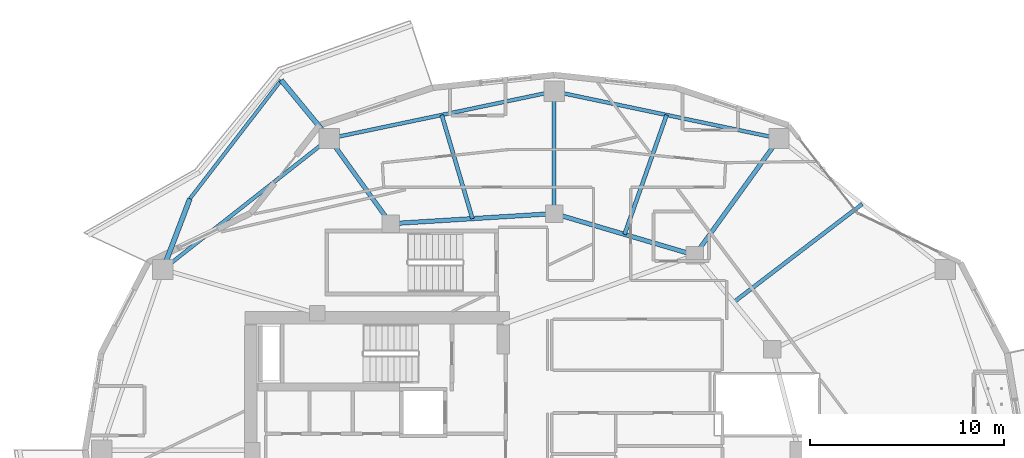
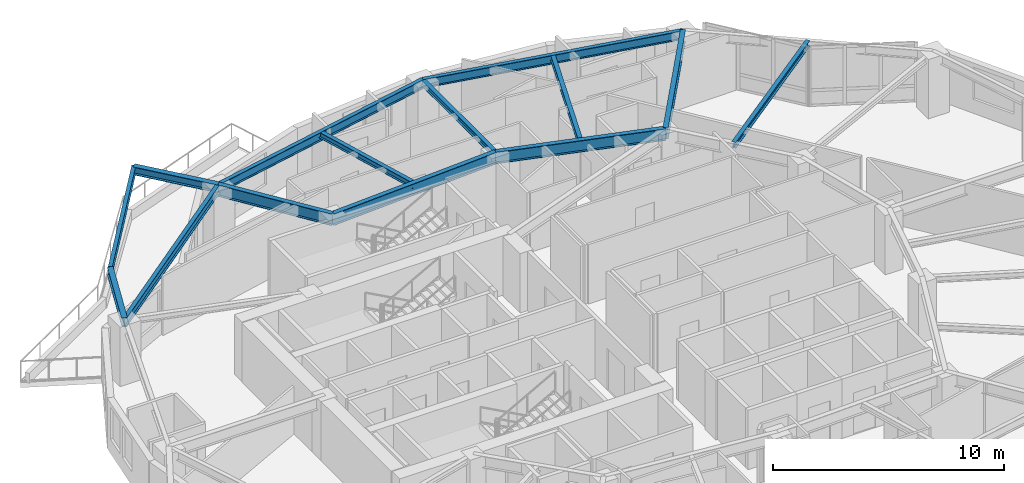
# One storey, part 5 of 19: 14 beams.
"""IFC4 building model written with IfcOpenShell, lengths in metres."""

from ifc_helpers import new_model, si_unit, direction, frame, origin, origin_2d, place, context, subcontext, project, spatial, i_section, extrude, material, material_profile, profile_set, type_object, element, save


model = new_model("IFC4")

# Units and contexts
model_context = context("Model", 3, precision=1e-05, world=origin(), true_north=direction((0.0, 1.0)))
body_context = subcontext(model_context, "Body", "Model", "MODEL_VIEW")
ifc_project = project(units=[si_unit("LENGTHUNIT", "METRE"), si_unit("AREAUNIT", "SQUARE_METRE"), si_unit("VOLUMEUNIT", "CUBIC_METRE"), si_unit("PLANEANGLEUNIT", "RADIAN"), si_unit("MASSUNIT", "GRAM", prefix="KILO")], contexts=[model_context])

# Site, building, storey
site_placement = place(None, origin())
site = spatial("IfcSite", under=ifc_project, at=site_placement, CompositionType="ELEMENT")
building_placement = place(site_placement, origin())
building = spatial("IfcBuilding", under=site, at=building_placement, Name="Kolvaren Gate Tower and Convention Centre", CompositionType="ELEMENT")
storey_placement = place(building_placement, frame((0.0, 0.0, 122.300048828125)))
storey = spatial("IfcBuildingStorey", under=building, at=storey_placement, Name="L30", CompositionType="ELEMENT", Elevation=122.300048828125)

# Beams
ifc_material = material(Name="Structural steel ASTM A992 Grade 345 MPa", Category="steel")
ifc_material_profile_1 = material_profile(ifc_material, i_section(OverallWidth=0.260009765625, OverallDepth=0.419921875, WebThickness=0.013427734375, FlangeThickness=0.0224609375, at=origin_2d()), Name="W410X132")
ifc_profile_set_1 = profile_set([ifc_material_profile_1], Name="Structural steel ASTM A992 Grade 345 MPa")
beam_type_1 = type_object("IfcBeamType", Name="STR-BM-W410X132", PredefinedType="BEAM", material=ifc_profile_set_1)
beam_1_placement = place(storey_placement, frame((18.52880859375, 43.068359375, 2.92041015625), z_axis=(-0.635814761536, 0.771841686496, 0.0), x_axis=(-0.771841686496, -0.635814761536, 0.0)))
element("IfcBeam", 1, at=beam_1_placement, inside=storey, type_object=beam_type_1, Name="Tower L31 Planted Balcony Outrigger Cantilever BC-1A", PredefinedType="BEAM", context=body_context, shape_type="SweptSolid", body=[
    extrude(i_section(OverallWidth=0.260009765625, OverallDepth=0.419921875, WebThickness=0.013427734375, FlangeThickness=0.0224609375, at=origin_2d()), origin(), (0.0, 0.0, 1.0), 3.900146484375),
])
beam_2_placement = place(storey_placement, frame((9.94970703125, 36.318603515625, 2.92041015625), z_axis=(0.356078629863, 0.934455996479, 0.0), x_axis=(-0.934455996479, 0.356078629863, 0.0)))
element("IfcBeam", 2, at=beam_2_placement, inside=storey, type_object=beam_type_1, Name="Tower L31 Planted Balcony Outrigger Cantilever BC-1B", PredefinedType="BEAM", context=body_context, shape_type="SweptSolid", body=[
    extrude(i_section(OverallWidth=0.260009765625, OverallDepth=0.419921875, WebThickness=0.013427734375, FlangeThickness=0.0224609375, at=origin_2d()), origin(), (0.0, 0.0, 1.0), 3.89990234375),
])
ifc_material_profile_2 = material_profile(ifc_material, i_section(OverallWidth=0.22998046875, OverallDepth=0.616943359375, WebThickness=0.01318359375, FlangeThickness=0.022216796875, at=origin_2d()), Name="W610X140")
ifc_profile_set_2 = profile_set([ifc_material_profile_2], Name="Structural steel ASTM A992 Grade 345 MPa")
beam_type_2 = type_object("IfcBeamType", Name="STR-BM-W610X140", PredefinedType="BEAM", material=ifc_profile_set_2)
beam_3_placement = place(storey_placement, frame((37.381591796875, 37.054931640625, 2.821533203125), z_axis=(-0.958980837827, 0.283470902706, 0.0), x_axis=(-0.283470902706, -0.958980837827, 0.0)))
element("IfcBeam", 3, at=beam_3_placement, inside=storey, type_object=beam_type_2, Name="Tower L30 Primary Ring Girder G-03", PredefinedType="BEAM", context=body_context, shape_type="SweptSolid", body=[
    extrude(i_section(OverallWidth=0.22998046875, OverallDepth=0.616943359375, WebThickness=0.01318359375, FlangeThickness=0.022216796875, at=origin_2d()), origin(), (0.0, 0.0, 1.0), 7.56689453125),
])
beam_4_placement = place(storey_placement, frame((30.125, 39.199951171875, 2.821533203125), z_axis=(-0.998078258568, -0.06196603726, 0.0), x_axis=(0.06196603726, -0.998078258568, 0.0)))
element("IfcBeam", 4, at=beam_4_placement, inside=storey, type_object=beam_type_2, Name="Tower L30 Primary Ring Girder G-04", PredefinedType="BEAM", context=body_context, shape_type="SweptSolid", body=[
    extrude(i_section(OverallWidth=0.22998046875, OverallDepth=0.616943359375, WebThickness=0.01318359375, FlangeThickness=0.022216796875, at=origin_2d()), origin(), (0.0, 0.0, 1.0), 8.443115234375),
])
beam_5_placement = place(storey_placement, frame((37.381591796875, 37.054931640625, 2.821533203125), z_axis=(0.585208050015, 0.810883184064, 0.0), x_axis=(-0.810883184064, 0.585208050015, 0.0)))
element("IfcBeam", 5, at=beam_5_placement, inside=storey, type_object=beam_type_2, Name="Tower L30 Radial Floor Girder RB-03", PredefinedType="BEAM", context=body_context, shape_type="SweptSolid", body=[
    extrude(i_section(OverallWidth=0.22998046875, OverallDepth=0.616943359375, WebThickness=0.01318359375, FlangeThickness=0.022216796875, at=origin_2d()), origin(), (0.0, 0.0, 1.0), 7.416015625),
])
beam_6_placement = place(storey_placement, frame((21.697998046875, 38.6767578125, 2.821533203125), z_axis=(-0.585184369967, 0.810900273243, 0.0), x_axis=(-0.810900273243, -0.585184369967, 0.0)))
element("IfcBeam", 6, at=beam_6_placement, inside=storey, type_object=beam_type_2, Name="Tower L30 Radial Floor Girder RB-05", PredefinedType="BEAM", context=body_context, shape_type="SweptSolid", body=[
    extrude(i_section(OverallWidth=0.22998046875, OverallDepth=0.616943359375, WebThickness=0.01318359375, FlangeThickness=0.022216796875, at=origin_2d()), origin(), (0.0, 0.0, 1.0), 5.415771484375),
])
ifc_material_profile_3 = material_profile(ifc_material, i_section(OverallWidth=0.205078125, OverallDepth=0.31005859375, WebThickness=0.009521484375, FlangeThickness=0.016357421875, at=origin_2d()), Name="W310X74")
ifc_profile_set_3 = profile_set([ifc_material_profile_3], Name="Structural steel ASTM A992 Grade 345 MPa")
beam_type_3 = type_object("IfcBeamType", Name="STR-JS-W310X74", PredefinedType="JOIST", material=ifc_profile_set_3)
beam_7_placement = place(storey_placement, frame((30.125, 39.199951171875, 2.974853515625), z_axis=(0.0, 1.0, 0.0), x_axis=(-1.0, 0.0, 0.0)))
element("IfcBeam", 7, at=beam_7_placement, inside=storey, type_object=beam_type_3, Name="Tower L30 Radial Floor Girder RB-04", PredefinedType="JOIST", context=body_context, shape_type="SweptSolid", body=[
    extrude(i_section(OverallWidth=0.205078125, OverallDepth=0.31005859375, WebThickness=0.009521484375, FlangeThickness=0.016357421875, at=origin_2d()), origin(), (0.0, 0.0, 1.0), 6.300048828125),
])
beam_8_placement = place(storey_placement, frame((39.3818359375, 34.627197265625, 2.974853515625), z_axis=(0.79454218325, 0.607208958297, 0.0), x_axis=(-0.607208958297, 0.79454218325, 0.0)))
element("IfcBeam", 8, at=beam_8_placement, inside=storey, type_object=beam_type_3, Name="Tower L30 Secondary Composite Floor Joist J-02.1", PredefinedType="JOIST", context=body_context, shape_type="SweptSolid", body=[
    extrude(i_section(OverallWidth=0.205078125, OverallDepth=0.31005859375, WebThickness=0.009521484375, FlangeThickness=0.016357421875, at=origin_2d()), origin(), (0.0, 0.0, 1.0), 8.34326171875),
])
beam_9_placement = place(storey_placement, frame((33.75341796875, 38.12744140625, 2.974853515625), z_axis=(0.332372088023, 0.943148342046, 0.0), x_axis=(-0.943148342046, 0.332372088023, 0.0)))
element("IfcBeam", 9, at=beam_9_placement, inside=storey, type_object=beam_type_3, Name="Tower L30 Secondary Composite Floor Joist J-03.1", PredefinedType="JOIST", context=body_context, shape_type="SweptSolid", body=[
    extrude(i_section(OverallWidth=0.205078125, OverallDepth=0.31005859375, WebThickness=0.009521484375, FlangeThickness=0.016357421875, at=origin_2d()), origin(), (0.0, 0.0, 1.0), 6.52783203125),
])
beam_10_placement = place(storey_placement, frame((25.91162109375, 38.938232421875, 2.974853515625), z_axis=(-0.284209081553, 0.958762326107, 0.0), x_axis=(-0.958762326107, -0.284209081553, 0.0)))
element("IfcBeam", 10, at=beam_10_placement, inside=storey, type_object=beam_type_3, Name="Tower L30 Secondary Composite Floor Joist J-04.1", PredefinedType="JOIST", context=body_context, shape_type="SweptSolid", body=[
    extrude(i_section(OverallWidth=0.205078125, OverallDepth=0.31005859375, WebThickness=0.009521484375, FlangeThickness=0.016357421875, at=origin_2d()), origin(), (0.0, 0.0, 1.0), 5.575927734375),
])
ifc_material_profile_4 = material_profile(ifc_material, i_section(OverallWidth=0.180908203125, OverallDepth=0.4169921875, WebThickness=0.010986328125, FlangeThickness=0.018310546875, at=origin_2d()), Name="W410X85")
ifc_profile_set_4 = profile_set([ifc_material_profile_4], Name="Structural steel ASTM A992 Grade 345 MPa")
beam_type_4 = type_object("IfcBeamType", Name="STR-SP-W410X85", PredefinedType="SPANDREL", material=ifc_profile_set_4)
beam_11_placement = place(storey_placement, frame((16.049072265625, 46.07861328125, 2.921875), z_axis=(-0.610222644788, -0.792229969004, 0.0), x_axis=(0.792229969004, -0.610222644788, 0.0)))
element("IfcBeam", 11, at=beam_11_placement, inside=storey, type_object=beam_type_4, Name="Tower L31 Planted Balcony Header Tie Beam BT-1", PredefinedType="SPANDREL", context=body_context, shape_type="SweptSolid", body=[
    extrude(i_section(OverallWidth=0.180908203125, OverallDepth=0.4169921875, WebThickness=0.010986328125, FlangeThickness=0.018310546875, at=origin_2d()), origin(), (0.0, 0.0, 1.0), 7.7197265625),
])
ifc_material_profile_5 = material_profile(ifc_material, i_section(OverallWidth=0.194091796875, OverallDepth=0.468994140625, WebThickness=0.0126953125, FlangeThickness=0.0205078125, at=origin_2d()), Name="W460X106")
ifc_profile_set_5 = profile_set([ifc_material_profile_5], Name="Structural steel ASTM A992 Grade 345 MPa")
beam_type_5 = type_object("IfcBeamType", Name="STR-SP-W460X106", PredefinedType="SPANDREL", material=ifc_profile_set_5)
beam_12_placement = place(storey_placement, frame((41.721435546875, 43.068359375, 2.8955078125), z_axis=(-0.978714746947, 0.205225349578, 0.0), x_axis=(-0.205225349578, -0.978714746947, 0.0)))
element("IfcBeam", 12, at=beam_12_placement, inside=storey, type_object=beam_type_5, Name="Tower L30 Perimeter Spandrel Beam SP-03", PredefinedType="SPANDREL", context=body_context, shape_type="SweptSolid", body=[
    extrude(i_section(OverallWidth=0.194091796875, OverallDepth=0.468994140625, WebThickness=0.0126953125, FlangeThickness=0.0205078125, at=origin_2d()), origin(), (0.0, 0.0, 1.0), 11.8486328125),
])
beam_13_placement = place(storey_placement, frame((30.125, 45.5, 2.8955078125), z_axis=(-0.978713879092, -0.20522948831, 0.0), x_axis=(0.20522948831, -0.978713879092, 0.0)))
element("IfcBeam", 13, at=beam_13_placement, inside=storey, type_object=beam_type_5, Name="Tower L30 Perimeter Spandrel Beam SP-04", PredefinedType="SPANDREL", context=body_context, shape_type="SweptSolid", body=[
    extrude(i_section(OverallWidth=0.194091796875, OverallDepth=0.468994140625, WebThickness=0.0126953125, FlangeThickness=0.0205078125, at=origin_2d()), origin(), (0.0, 0.0, 1.0), 11.848388671875),
])
beam_14_placement = place(storey_placement, frame((18.52880859375, 43.068359375, 2.8955078125), z_axis=(-0.785916161629, -0.61833307116, 0.0), x_axis=(0.61833307116, -0.785916161629, 0.0)))
element("IfcBeam", 14, at=beam_14_placement, inside=storey, type_object=beam_type_5, Name="Tower L30 Perimeter Spandrel Beam SP-05", PredefinedType="SPANDREL", context=body_context, shape_type="SweptSolid", body=[
    extrude(i_section(OverallWidth=0.194091796875, OverallDepth=0.468994140625, WebThickness=0.0126953125, FlangeThickness=0.0205078125, at=origin_2d()), origin(), (0.0, 0.0, 1.0), 10.916015625),
])

save(model, "model.ifc")
